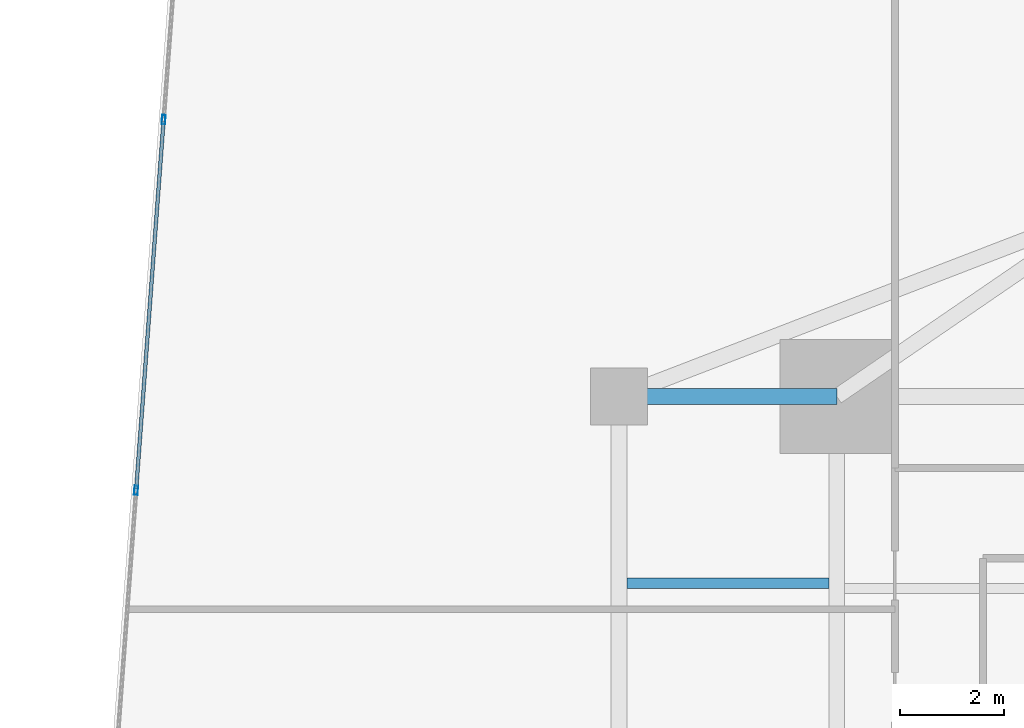
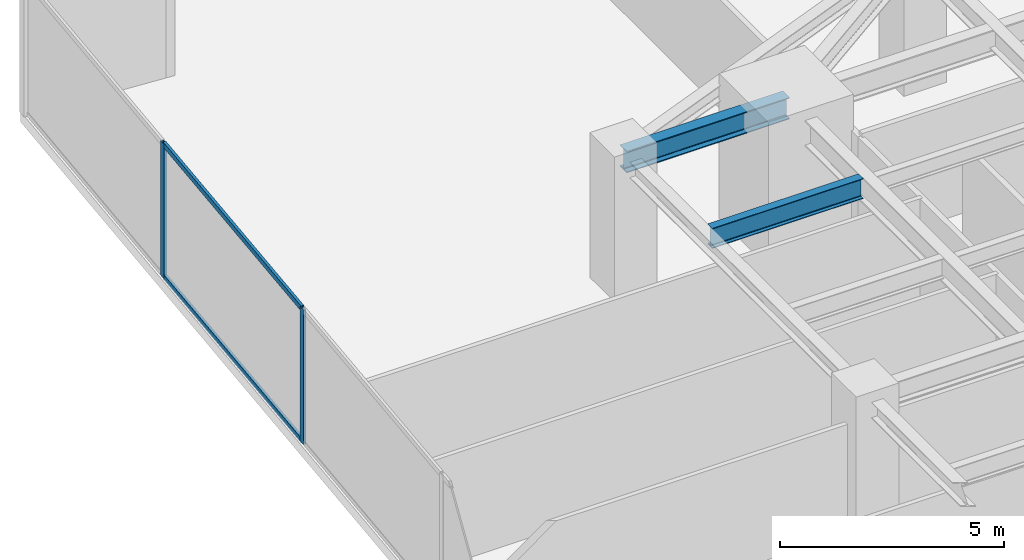
# One storey, part 17 of 30: 4 members, 2 beams, 1 element without a shape of its own.
"""IFC4 building model written with IfcOpenShell, lengths in metres."""

import ifcopenshell
import ifcopenshell.guid

model = None  # the IFC model being written
_history = None  # IfcOwnerHistory: only IFC2X3 demands one
_inside = {}  # id of a spatial element -> (the spatial element, [elements in it])
_under = {}  # id of a project, library or spatial element -> (it, [spatial elements below it])
_declared = {}  # id of a project -> (the project, [libraries it declares])
_typed = {}  # id of a type object -> (the type object, [elements of that type])
_made_of = {}  # id of a material, layer set ... -> (it, [elements and type objects made of it])


def new_model(schema):
    """Start an empty IFC model of exactly this schema.

    Asked for "IFC4X3", IfcOpenShell would pick the latest addendum, in which some entities
    have other attributes; the version numbers below select the first issue.
    IFC2X3 requires an IfcOwnerHistory on every rooted entity: one is made here for all.
    """
    global model, _history
    if schema == "IFC4X3":
        model = ifcopenshell.file(schema_version=(4, 3, 0, 0))
    else:
        model = ifcopenshell.file(schema=schema)
    _inside.clear()
    _under.clear()
    _declared.clear()
    _typed.clear()
    _made_of.clear()
    _history = None
    if model.schema == "IFC2X3":
        org = make("IfcOrganization", Name="unknown")
        user = make(
            "IfcPersonAndOrganization",
            ThePerson=make("IfcPerson", FamilyName="unknown"),
            TheOrganization=org,
        )
        app = make(
            "IfcApplication",
            ApplicationDeveloper=org,
            Version="unknown",
            ApplicationFullName="unknown",
            ApplicationIdentifier="unknown",
        )
        _history = make(
            "IfcOwnerHistory",
            OwningUser=user,
            OwningApplication=app,
            ChangeAction="ADDED",
            CreationDate=0,
        )
    return model


def make(cls, **values):
    """One entity of the class cls with the attributes given. An attribute that is None is left unset."""
    return model.create_entity(
        cls, **{name: value for name, value in values.items() if value is not None}
    )


def rooted(cls, **values):
    """An entity with a GlobalId (a new one), such as an element, a storey or a relation."""
    return make(cls, GlobalId=ifcopenshell.guid.new(), OwnerHistory=_history, **values)


def si_unit(unit_type, name, prefix=None):
    """IfcSIUnit, for example si_unit("LENGTHUNIT", "METRE", prefix="MILLI")."""
    return make("IfcSIUnit", UnitType=unit_type, Prefix=prefix, Name=name)


def assignment(units):
    """IfcUnitAssignment: the units of a project."""
    return None if units is None else make("IfcUnitAssignment", Units=units)


def point(xyz):
    """IfcCartesianPoint."""
    return None if xyz is None else make("IfcCartesianPoint", Coordinates=xyz)


def direction(xyz):
    """IfcDirection."""
    return None if xyz is None else make("IfcDirection", DirectionRatios=xyz)


def frame(location, z_axis=None, x_axis=None):
    """IfcAxis2Placement3D, a coordinate frame: its origin and axes. An axis left out is left unset."""
    return make(
        "IfcAxis2Placement3D",
        Location=point(location),
        Axis=direction(z_axis),
        RefDirection=direction(x_axis),
    )


def frame_2d(location, x_axis=None):
    """IfcAxis2Placement2D, a coordinate frame in the plane: its origin and x axis."""
    return make(
        "IfcAxis2Placement2D", Location=point(location), RefDirection=direction(x_axis)
    )


def origin():
    """The frame at (0, 0, 0) with its axes left unset."""
    return frame((0.0, 0.0, 0.0))


def origin_2d():
    """The frame at (0, 0) in the plane with its x axis left unset."""
    return frame_2d((0.0, 0.0))


def place(relative_to, where):
    """IfcLocalPlacement: puts the frame where relative to a parent placement (None: the world)."""
    return make(
        "IfcLocalPlacement", PlacementRelTo=relative_to, RelativePlacement=where
    )


def context(
    kind, dimensions, precision=None, world=None, true_north=None, identifier=None
):
    """IfcGeometricRepresentationContext, for example the 3D "Model" context."""
    return make(
        "IfcGeometricRepresentationContext",
        ContextIdentifier=identifier,
        ContextType=kind,
        CoordinateSpaceDimension=dimensions,
        Precision=precision,
        WorldCoordinateSystem=world,
        TrueNorth=true_north,
    )


def subcontext(parent, identifier, kind, view, scale=None):
    """IfcGeometricRepresentationSubContext, for example "Body" below "Model"."""
    return make(
        "IfcGeometricRepresentationSubContext",
        ContextIdentifier=identifier,
        ContextType=kind,
        ParentContext=parent,
        TargetScale=scale,
        TargetView=view,
    )


def project(units=None, contexts=None):
    """IfcProject with its units and contexts."""
    return rooted(
        "IfcProject",
        Name="project",
        RepresentationContexts=contexts,
        UnitsInContext=assignment(units),
    )


def spatial(cls, under=None, at=None, **own):
    """A site, building, storey or space (cls), placed at a placement, below another one or the project."""
    s = rooted(cls, ObjectPlacement=at, **own)
    if under is not None:
        _under.setdefault(under.id(), (under, []))[1].append(s)
    return s


def profile(cls, at=None, kind="AREA", **sizes):
    """A parametric profile (cls). Its sizes go by their IFC names, for example OverallWidth=200.0."""
    return make(cls, ProfileType=kind, Position=at, **sizes)


def hollow_rectangle(**sizes):
    """IfcRectangleHollowProfileDef."""
    return profile("IfcRectangleHollowProfileDef", **sizes)


def i_section(**sizes):
    """IfcIShapeProfileDef."""
    return profile("IfcIShapeProfileDef", **sizes)


def extrude(swept, where, along, depth):
    """IfcExtrudedAreaSolid: the profile swept, set in the frame where, extruded along a direction by depth."""
    return make(
        "IfcExtrudedAreaSolid",
        SweptArea=swept,
        Position=where,
        ExtrudedDirection=direction(along),
        Depth=depth,
    )


def shape(context_of_items, identifier, shape_type, items):
    """IfcShapeRepresentation: the items that make up one representation, for example the "Body"."""
    return make(
        "IfcShapeRepresentation",
        ContextOfItems=context_of_items,
        RepresentationIdentifier=identifier,
        RepresentationType=shape_type,
        Items=items,
    )


def source(mapping_origin, context_of_items, identifier, shape_type, items):
    """IfcRepresentationMap: a shape defined once, which mapped items show again and again."""
    return make(
        "IfcRepresentationMap",
        MappingOrigin=mapping_origin,
        MappedRepresentation=shape(context_of_items, identifier, shape_type, items),
    )


def transform(
    local_origin,
    x_axis=None,
    y_axis=None,
    z_axis=None,
    scale=None,
    scale2=None,
    scale3=None,
    uniform=True,
):
    """IfcCartesianTransformationOperator3D, or its non-uniform kind. x_axis, y_axis, z_axis: its Axis1, 2, 3."""
    if uniform:
        return make(
            "IfcCartesianTransformationOperator3D",
            Axis1=direction(x_axis),
            Axis2=direction(y_axis),
            LocalOrigin=point(local_origin),
            Scale=scale,
            Axis3=direction(z_axis),
        )
    return make(
        "IfcCartesianTransformationOperator3DnonUniform",
        Axis1=direction(x_axis),
        Axis2=direction(y_axis),
        LocalOrigin=point(local_origin),
        Scale=scale,
        Axis3=direction(z_axis),
        Scale2=scale2,
        Scale3=scale3,
    )


def mapped(mapping_source, mapping_target):
    """IfcMappedItem: shows the shape of a source again, moved by a transform."""
    return make(
        "IfcMappedItem", MappingSource=mapping_source, MappingTarget=mapping_target
    )


def material(Name=None, Category=None):
    """IfcMaterial."""
    return make("IfcMaterial", Name=Name, Category=Category)


def material_profile(
    of_material, cross_section, Name=None, Category=None, Priority=None
):
    """IfcMaterialProfile: a cross section and its material."""
    return make(
        "IfcMaterialProfile",
        Name=Name,
        Material=of_material,
        Profile=cross_section,
        Priority=Priority,
        Category=Category,
    )


def profile_set(profiles, Name=None, composite=None):
    """IfcMaterialProfileSet."""
    return make(
        "IfcMaterialProfileSet",
        Name=Name,
        MaterialProfiles=profiles,
        CompositeProfile=composite,
    )


def made_of(thing, what):
    """Note that an element or type object is made of a material, layer set ...; save() writes the relation."""
    if what is not None:
        _made_of.setdefault(what.id(), (what, []))[1].append(thing)
    return thing


def type_object(cls, material=None, **own):
    """A type object (cls), such as IfcWallType, which elements share."""
    return made_of(rooted(cls, **own), material)


def type_shapes(of_type, sources):
    """Give a type object the sources (RepresentationMaps) that its elements show as mapped items."""
    of_type.RepresentationMaps = sources


def element(
    cls,
    number,
    at=None,
    inside=None,
    cuts=None,
    type_object=None,
    material=None,
    context=None,
    identifier="Body",
    shape_type=None,
    held_by="IfcProductDefinitionShape",
    body=None,
    shapes=None,
    **own,
):
    """One element of the class cls, such as IfcWall. Its Tag is "e" and its number.

    at: its placement. inside: the storey or other place that contains it. cuts: it is an
    opening in that element (IfcRelVoidsElement). A single representation is given by context,
    identifier, shape_type and body (its items); several are given by shapes. held_by: the class
    of the entity that holds the representations. save() writes the other relations.
    """
    e = rooted(cls, Tag="e%d" % number, ObjectPlacement=at, **own)
    if body is not None:
        shapes = [shape(context, identifier, shape_type, body)]
    if shapes is not None:
        e.Representation = make(held_by, Representations=shapes)
    if inside is not None:
        _inside.setdefault(inside.id(), (inside, []))[1].append(e)
    if cuts is not None:
        rooted(
            "IfcRelVoidsElement", RelatingBuildingElement=cuts, RelatedOpeningElement=e
        )
    if type_object is not None:
        _typed.setdefault(type_object.id(), (type_object, []))[1].append(e)
    return made_of(e, material)


def aggregate(whole, parts):
    """IfcRelAggregates: a whole, such as a stair, and the parts it consists of."""
    return rooted("IfcRelAggregates", RelatingObject=whole, RelatedObjects=parts)


def save(model, path):
    """Write the relations noted so far, then the file.

    IfcRelAggregates (storeys below a building ...), IfcRelContainedInSpatialStructure (elements
    in a storey), IfcRelDefinesByType, IfcRelAssociatesMaterial and IfcRelDeclares: one each for
    every whole, place, type object, material and project.
    """
    for whole, parts in _under.values():
        aggregate(whole, parts)
    for where, things in _inside.values():
        rooted(
            "IfcRelContainedInSpatialStructure",
            RelatedElements=things,
            RelatingStructure=where,
        )
    for kind, things in _typed.values():
        rooted("IfcRelDefinesByType", RelatedObjects=things, RelatingType=kind)
    for what, things in _made_of.values():
        rooted("IfcRelAssociatesMaterial", RelatedObjects=things, RelatingMaterial=what)
    for by, libraries in _declared.values():
        rooted("IfcRelDeclares", RelatingContext=by, RelatedDefinitions=libraries)
    model.write(path)


model = new_model("IFC4")

# Units and contexts
model_context = context("Model", 3, precision=1e-05, world=origin(), true_north=direction((0.0, 1.0)))
body_context = subcontext(model_context, "Body", "Model", "MODEL_VIEW")
ifc_project = project(units=[si_unit("LENGTHUNIT", "METRE"), si_unit("AREAUNIT", "SQUARE_METRE"), si_unit("VOLUMEUNIT", "CUBIC_METRE"), si_unit("PLANEANGLEUNIT", "RADIAN"), si_unit("MASSUNIT", "GRAM", prefix="KILO")], contexts=[model_context])

# Site, building, storey
site_placement = place(None, origin())
site = spatial("IfcSite", under=ifc_project, at=site_placement, CompositionType="ELEMENT")
building_placement = place(site_placement, origin())
building = spatial("IfcBuilding", under=site, at=building_placement, Name="Krantzveldt Concourse Tower", CompositionType="ELEMENT")
storey_placement = place(building_placement, frame((0.0, 0.0, 52.64990234375)))
storey = spatial("IfcBuildingStorey", under=building, at=storey_placement, Name="L12", CompositionType="ELEMENT", Elevation=52.64990234375)

# Beams
ifc_material_1 = material(Name="Steel S355JR", Category="steel")
ifc_material_profile_1 = material_profile(ifc_material_1, i_section(OverallWidth=0.300048828125, OverallDepth=0.590087890625, WebThickness=0.012939453125, FlangeThickness=0.02490234375, FilletRadius=0.027099609375, at=origin_2d()), Name="Steel S355JR", Category="steel")
ifc_profile_set_1 = profile_set([ifc_material_profile_1], Name="Steel S355JR - HEA 600")
beam_type_1 = type_object("IfcBeamType", Name="BM-B-HEA600", PredefinedType="BEAM", material=ifc_profile_set_1)
shared_shape_1 = source(origin(), body_context, "Body", "SweptSolid", [
    extrude(i_section(OverallWidth=0.300048828125, OverallDepth=0.590087890625, WebThickness=0.012939453125, FlangeThickness=0.02490234375, FilletRadius=0.027099609375, at=origin_2d()), origin(), (0.0, 0.0, 1.0), 4.199951171875),
])
type_shapes(beam_type_1, [shared_shape_1])
beam_1_placement = place(storey_placement, frame((21.0, 37.5, 3.375), z_axis=(1.0, 0.0, 0.0), x_axis=(0.0, 1.0, 0.0)))
element("IfcBeam", 1, at=beam_1_placement, inside=storey, type_object=beam_type_1, Name="L12 Tower Girder BR-RL3", PredefinedType="BEAM", context=body_context, shape_type="MappedRepresentation", body=[
    mapped(shared_shape_1, transform((0.0, 0.0, 0.0), x_axis=(1.0, 0.0, 0.0), y_axis=(0.0, 1.0, 0.0), z_axis=(0.0, 0.0, 1.0), scale=1.0)),
])
ifc_material_profile_2 = material_profile(ifc_material_1, i_section(OverallWidth=0.2099609375, OverallDepth=0.550048828125, WebThickness=0.010986328125, FlangeThickness=0.01708984375, FilletRadius=0.02392578125, at=origin_2d()), Name="Steel S355JR", Category="steel")
ifc_profile_set_2 = profile_set([ifc_material_profile_2], Name="Steel S355JR - IPE 550")
beam_type_2 = type_object("IfcBeamType", Name="BM-J-IPE550", PredefinedType="JOIST", material=ifc_profile_set_2)
shared_shape_2 = source(origin(), body_context, "Body", "SweptSolid", [
    extrude(i_section(OverallWidth=0.2099609375, OverallDepth=0.550048828125, WebThickness=0.010986328125, FlangeThickness=0.01708984375, FilletRadius=0.02392578125, at=origin_2d()), origin(), (0.0, 0.0, 1.0), 3.900146484375),
])
type_shapes(beam_type_2, [shared_shape_2])
beam_2_placement = place(storey_placement, frame((21.14990234375, 33.89990234375, 3.39501953125), z_axis=(1.0, 0.0, 0.0), x_axis=(0.0, 1.0, 0.0)))
element("IfcBeam", 2, at=beam_2_placement, inside=storey, type_object=beam_type_2, Name="L12 Secondary Floor Joist JW-4", PredefinedType="JOIST", context=body_context, shape_type="MappedRepresentation", body=[
    mapped(shared_shape_2, transform((0.0, 0.0, 0.0), x_axis=(1.0, 0.0, 0.0), y_axis=(0.0, 1.0, 0.0), z_axis=(0.0, 0.0, 1.0), scale=1.0)),
])

# Curtain wall, members
ifc_material_2 = material(Name="Anodised aluminium 6063-T6", Category="aluminium")
curtain_wall_type = type_object("IfcCurtainWallType", Name="CW2", PredefinedType="USERDEFINED", material=ifc_material_2)
curtain_wall_placement = place(storey_placement, origin())
curtain_wall = element("IfcCurtainWall", 3, at=curtain_wall_placement, inside=storey, type_object=curtain_wall_type, Name="CW-L12-F01", ObjectType="UNITISED CURTAIN WALL", PredefinedType="USERDEFINED")
ifc_material_profile_3 = material_profile(ifc_material_2, hollow_rectangle(XDim=0.070068359375, YDim=0.179931640625, WallThickness=0.0048828125, at=origin_2d()), Name="Anodised aluminium 6063-T6", Category="aluminium")
ifc_profile_set_3 = profile_set([ifc_material_profile_3], Name="Anodised aluminium 6063-T6 - ALU-MULL 180x70x5")
member_type_1 = type_object("IfcMemberType", Name="CW-MUL-180", PredefinedType="MULLION", material=ifc_profile_set_3)
shared_shape_3 = source(origin(), body_context, "Body", "SweptSolid", [
    extrude(hollow_rectangle(XDim=0.070068359375, YDim=0.179931640625, WallThickness=0.0048828125, at=origin_2d()), origin(), (0.0, 0.0, 1.0), 3.670166015625),
])
type_shapes(member_type_1, [shared_shape_3])
member_1_placement = place(storey_placement, frame((12.220703125, 42.83984375, 0.0), z_axis=(0.0, 0.0, 1.0), x_axis=(0.997250176902, -0.07410860051, 0.0)))
member_1 = element("IfcMember", 4, at=member_1_placement, type_object=member_type_1, Name="CW-Z12 mullion 2", PredefinedType="MULLION", context=body_context, shape_type="MappedRepresentation", body=[
    mapped(shared_shape_3, transform((0.0, 0.0, 0.0), x_axis=(1.0, 0.0, 0.0), y_axis=(0.0, 1.0, 0.0), z_axis=(0.0, 0.0, 1.0), scale=1.0)),
])
member_2_placement = place(storey_placement, frame((11.689697265625, 35.693115234375, 0.0), z_axis=(0.0, 0.0, 1.0), x_axis=(0.997250176902, -0.07410860051, 0.0)))
member_2 = element("IfcMember", 5, at=member_2_placement, type_object=member_type_1, Name="CW-Z12 mullion 3", PredefinedType="MULLION", context=body_context, shape_type="MappedRepresentation", body=[
    mapped(shared_shape_3, transform((0.0, 0.0, 0.0), x_axis=(1.0, 0.0, 0.0), y_axis=(0.0, 1.0, 0.0), z_axis=(0.0, 0.0, 1.0), scale=1.0)),
])
ifc_material_profile_4 = material_profile(ifc_material_2, hollow_rectangle(XDim=0.070068359375, YDim=0.139892578125, WallThickness=0.0048828125, at=origin_2d()), Name="Anodised aluminium 6063-T6", Category="aluminium")
ifc_profile_set_4 = profile_set([ifc_material_profile_4], Name="Anodised aluminium 6063-T6 - ALU-TRAN 140x70x5")
member_type_2 = type_object("IfcMemberType", Name="CW-TRN-150", PredefinedType="USERDEFINED", material=ifc_profile_set_4)
shared_shape_4 = source(origin(), body_context, "Body", "SweptSolid", [
    extrude(hollow_rectangle(XDim=0.070068359375, YDim=0.139892578125, WallThickness=0.0048828125, at=origin_2d()), origin(), (0.0, 0.0, 1.0), 7.096923828125),
])
type_shapes(member_type_2, [shared_shape_4])
member_3_placement = place(storey_placement, frame((12.218017578125, 42.80517578125, 0.03515625), z_axis=(-0.074099772125, -0.997250832926, 0.0), x_axis=(0.997250832926, -0.074099772125, 0.0)))
member_3 = element("IfcMember", 6, at=member_3_placement, type_object=member_type_2, Name="CW-Z12 transom 2.1", ObjectType="TRANSOM", PredefinedType="USERDEFINED", context=body_context, shape_type="MappedRepresentation", body=[
    mapped(shared_shape_4, transform((0.0, 0.0, 0.0), x_axis=(1.0, 0.0, 0.0), y_axis=(0.0, 1.0, 0.0), z_axis=(0.0, 0.0, 1.0), scale=1.0)),
])
member_4_placement = place(storey_placement, frame((12.218017578125, 42.80517578125, 3.635009765625), z_axis=(-0.074099772125, -0.997250832926, 0.0), x_axis=(0.997250832926, -0.074099772125, 0.0)))
member_4 = element("IfcMember", 7, at=member_4_placement, type_object=member_type_2, Name="CW-Z12 transom 2.2", ObjectType="TRANSOM", PredefinedType="USERDEFINED", context=body_context, shape_type="MappedRepresentation", body=[
    mapped(shared_shape_4, transform((0.0, 0.0, 0.0), x_axis=(1.0, 0.0, 0.0), y_axis=(0.0, 1.0, 0.0), z_axis=(0.0, 0.0, 1.0), scale=1.0)),
])
aggregate(curtain_wall, [member_1, member_2, member_3, member_4])

save(model, "model.ifc")
